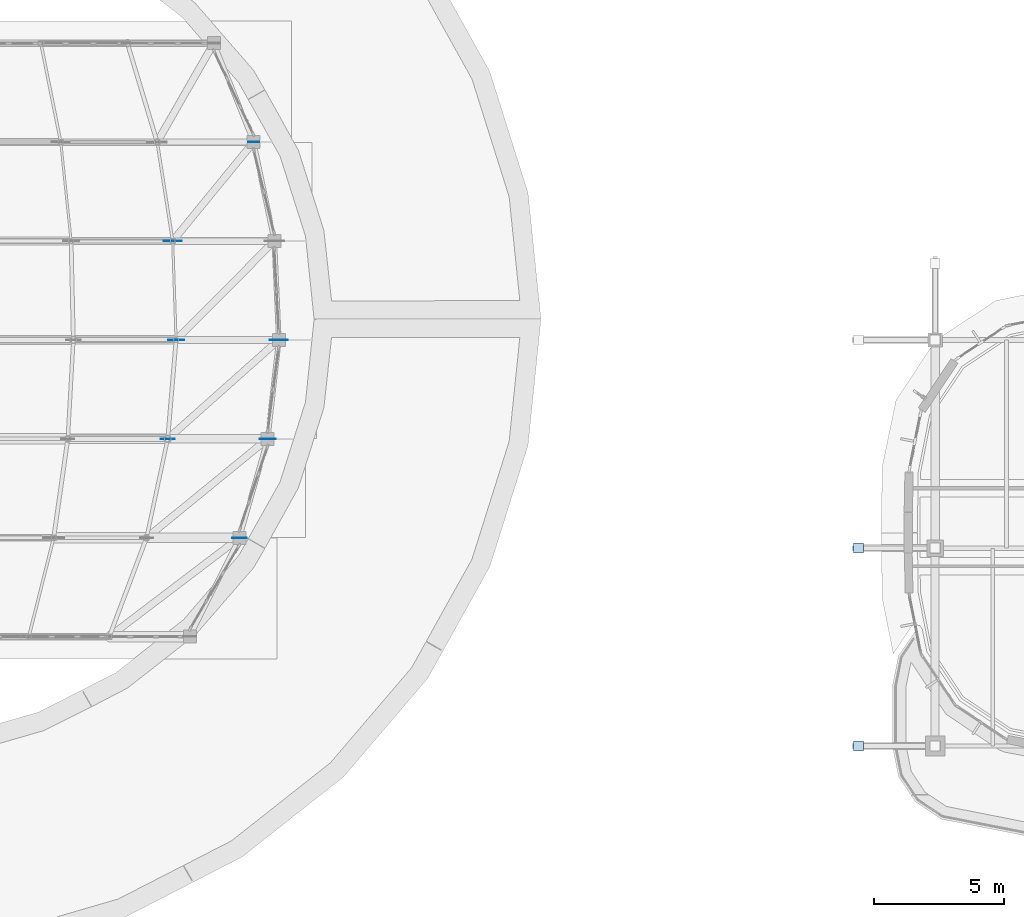
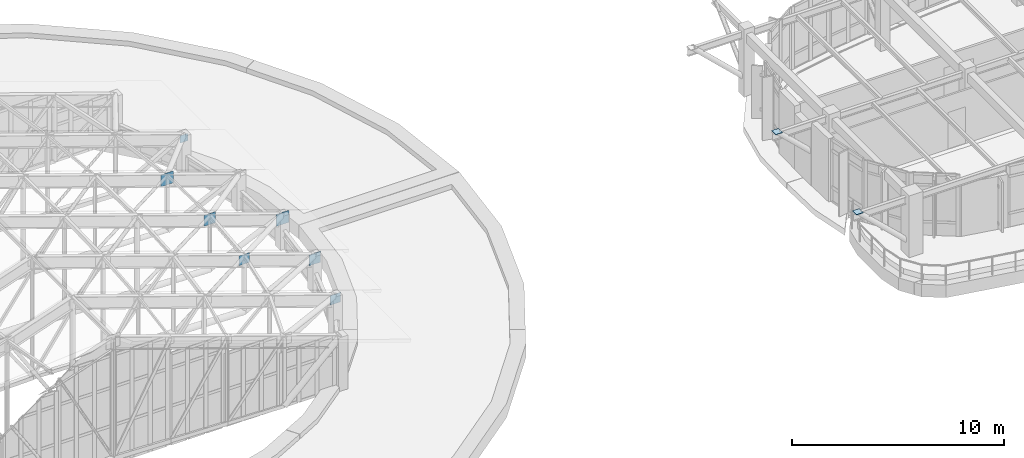
# One storey, part 77 of 105: 9 plates.
"""IFC4 building model written with IfcOpenShell, lengths in metres."""

from ifc_helpers import new_model, si_unit, direction, frame, origin, origin_2d, place, context, subcontext, project, spatial, rectangle, extrude, material, layer, layer_set, type_object, element, save


model = new_model("IFC4")

# Units and contexts
model_context = context("Model", 3, precision=1e-05, world=origin(), true_north=direction((0.0, 1.0)))
body_context = subcontext(model_context, "Body", "Model", "MODEL_VIEW")
ifc_project = project(units=[si_unit("LENGTHUNIT", "METRE"), si_unit("AREAUNIT", "SQUARE_METRE"), si_unit("VOLUMEUNIT", "CUBIC_METRE"), si_unit("PLANEANGLEUNIT", "RADIAN"), si_unit("MASSUNIT", "GRAM", prefix="KILO")], contexts=[model_context])

# Site, building, storey
site_placement = place(None, origin())
site = spatial("IfcSite", under=ifc_project, at=site_placement, CompositionType="ELEMENT")
building_placement = place(site_placement, origin())
building = spatial("IfcBuilding", under=site, at=building_placement, Name="Corveleigh Park Community Centre", CompositionType="ELEMENT")
storey_placement = place(building_placement, frame((0.0, 0.0, 8.699951171875)))
storey = spatial("IfcBuildingStorey", under=building, at=storey_placement, Name="L02", CompositionType="ELEMENT", Elevation=8.699951171875)

# Plates
ifc_material = material(Name="Steel S355", Category="steel")
ifc_layer_1 = layer(ifc_material, 0.02197265625, Name="Steel S355", Category="steel")
ifc_layer_set_1 = layer_set([ifc_layer_1], Name="Steel S355")
plate_type_1 = type_object("IfcPlateType", Name="PLT-CAP-22", PredefinedType="SHEET", material=ifc_layer_set_1)
plate_placement = place(storey_placement, frame((45.819091796875, 34.39990234375, 1.746826171875), z_axis=(0.0, 0.0, 1.0), x_axis=(1.0, 0.0, 0.0)))
element("IfcPlate", 1, at=plate_placement, inside=storey, type_object=plate_type_1, Name="V1 Truss T6 Gusset", PredefinedType="SHEET", context=body_context, shape_type="SweptSolid", body=[
    extrude(rectangle(XDim=0.419921875, YDim=0.02197265625, at=origin_2d()), origin(), (0.0, 0.0, 1.0), 0.419921875),
])
ifc_layer_2 = layer(ifc_material, 0.028076171875, Name="Steel S355", Category="steel")
ifc_layer_set_2 = layer_set([ifc_layer_2], Name="Steel S355")
plate_type_2 = type_object("IfcPlateType", Name="PLT-CAP-28", PredefinedType="SHEET", material=ifc_layer_set_2)
for number, where, z_axis, x_axis, name in (
    (2, (69.055908203125, 11.199951171875, 3.64306640625), (0.0, 0.0, 1.0), (1.0, 0.0, 0.0), "V3 End Pebble Overhang Strut 0-0 tip cap"),
    (3, (69.055908203125, 18.800048828125, 3.64306640625), (0.0, 0.0, 1.0), (1.0, 0.0, 0.0), "V3 End Pebble Overhang Strut 0-1 tip cap"),
):
    element("IfcPlate", number, at=place(storey_placement, frame(where, z_axis=z_axis, x_axis=x_axis)), inside=storey, type_object=plate_type_2, Name=name, PredefinedType="SHEET", context=body_context, shape_type="SweptSolid", body=[
        extrude(rectangle(XDim=0.3798828125, YDim=0.3798828125, at=origin_2d()), origin(), (0.0, 0.0, 1.0), 0.028076171875),
    ])
ifc_layer_3 = layer(ifc_material, 0.02001953125, Name="Steel S355", Category="steel")
ifc_layer_set_3 = layer_set([ifc_layer_3], Name="Steel S355")
plate_type_3 = type_object("IfcPlateType", Name="PLT-GUS-20", PredefinedType="SHEET", material=ifc_layer_set_3)
for number, where, z_axis, x_axis, name in (
    (4, (45.27490234375, 19.199951171875, 1.86767578125), (0.0, 0.0, 1.0), (1.0, 0.0, 0.0), "V1 Truss T2 Gusset"),
    (5, (42.51904296875, 23.0, 2.80908203125), (0.0, 0.0, 1.0), (1.0, 0.0, 0.0), "V1 Truss T3 Gusset"),
):
    element("IfcPlate", number, at=place(storey_placement, frame(where, z_axis=z_axis, x_axis=x_axis)), inside=storey, type_object=plate_type_3, Name=name, PredefinedType="SHEET", context=body_context, shape_type="SweptSolid", body=[
        extrude(rectangle(XDim=0.550048828125, YDim=0.02001953125, at=origin_2d()), origin(), (0.0, 0.0, 1.0), 0.550048828125),
    ])
ifc_layer_4 = layer(ifc_material, 0.02392578125, Name="Steel S355", Category="steel")
ifc_layer_set_4 = layer_set([ifc_layer_4], Name="Steel S355")
plate_type_4 = type_object("IfcPlateType", Name="PLT-GUS-24", PredefinedType="SHEET", material=ifc_layer_set_4)
for number, where, z_axis, x_axis, name in (
    (6, (46.35888671875, 23.0, 1.46240234375), (0.0, 0.0, 1.0), (1.0, 0.0, 0.0), "V1 Truss T3 Gusset"),
    (7, (42.840087890625, 26.800048828125, 2.664794921875), (0.0, 0.0, 1.0), (1.0, 0.0, 0.0), "V1 Truss T4 Gusset"),
):
    element("IfcPlate", number, at=place(storey_placement, frame(where, z_axis=z_axis, x_axis=x_axis)), inside=storey, type_object=plate_type_4, Name=name, PredefinedType="SHEET", context=body_context, shape_type="SweptSolid", body=[
        extrude(rectangle(XDim=0.6201171875, YDim=0.02392578125, at=origin_2d()), origin(), (0.0, 0.0, 1.0), 0.6201171875),
    ])
ifc_layer_5 = layer(ifc_material, 0.02587890625, Name="Steel S355", Category="steel")
ifc_layer_set_5 = layer_set([ifc_layer_5], Name="Steel S355")
plate_type_5 = type_object("IfcPlateType", Name="PLT-GUS-26", PredefinedType="SHEET", material=ifc_layer_set_5)
for number, where, z_axis, x_axis, name in (
    (8, (46.787109375, 26.800048828125, 1.2861328125), (0.0, 0.0, 1.0), (1.0, 0.0, 0.0), "V1 Truss T4 Gusset"),
    (9, (42.7099609375, 30.60009765625, 2.67919921875), (0.0, 0.0, 1.0), (1.0, 0.0, 0.0), "V1 Truss T5 Gusset"),
):
    element("IfcPlate", number, at=place(storey_placement, frame(where, z_axis=z_axis, x_axis=x_axis)), inside=storey, type_object=plate_type_5, Name=name, PredefinedType="SHEET", context=body_context, shape_type="SweptSolid", body=[
        extrude(rectangle(XDim=0.679931640625, YDim=0.02587890625, at=origin_2d()), origin(), (0.0, 0.0, 1.0), 0.679931640625),
    ])

save(model, "model.ifc")
